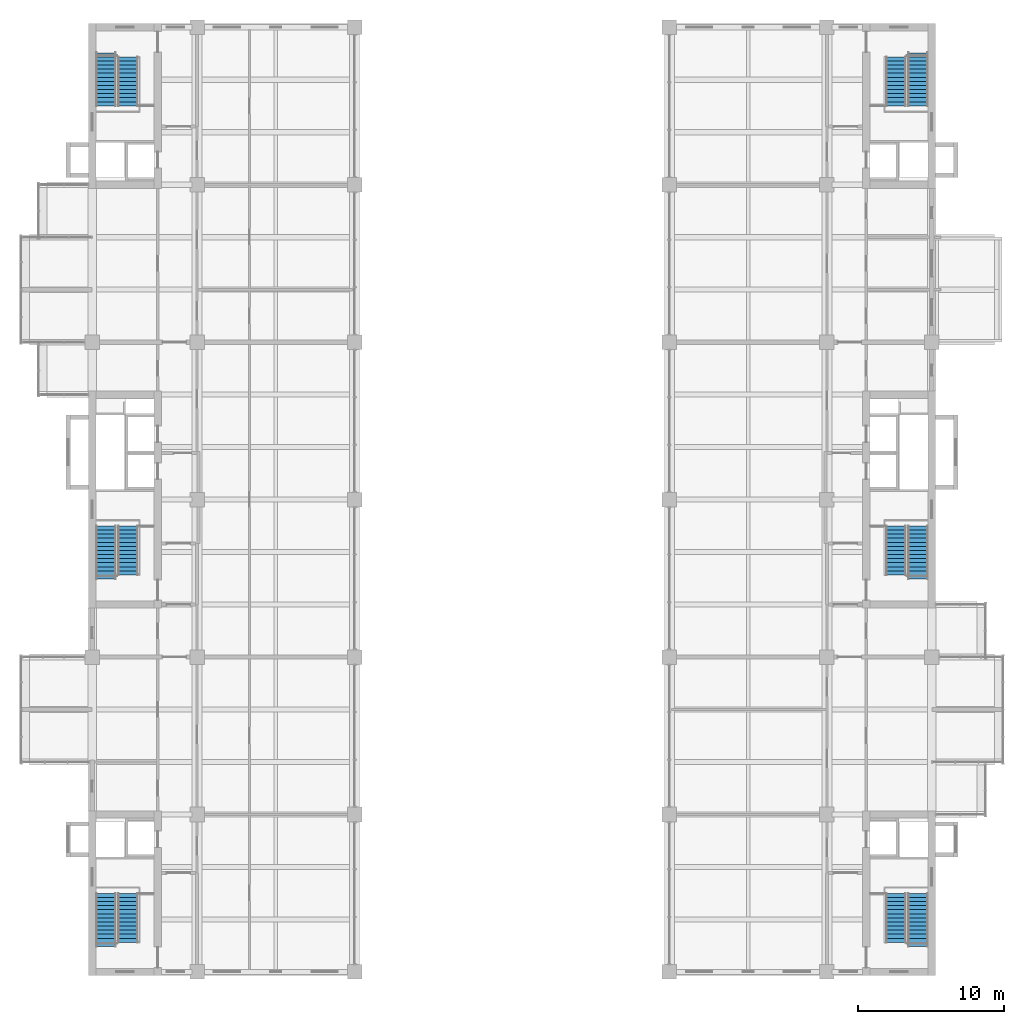
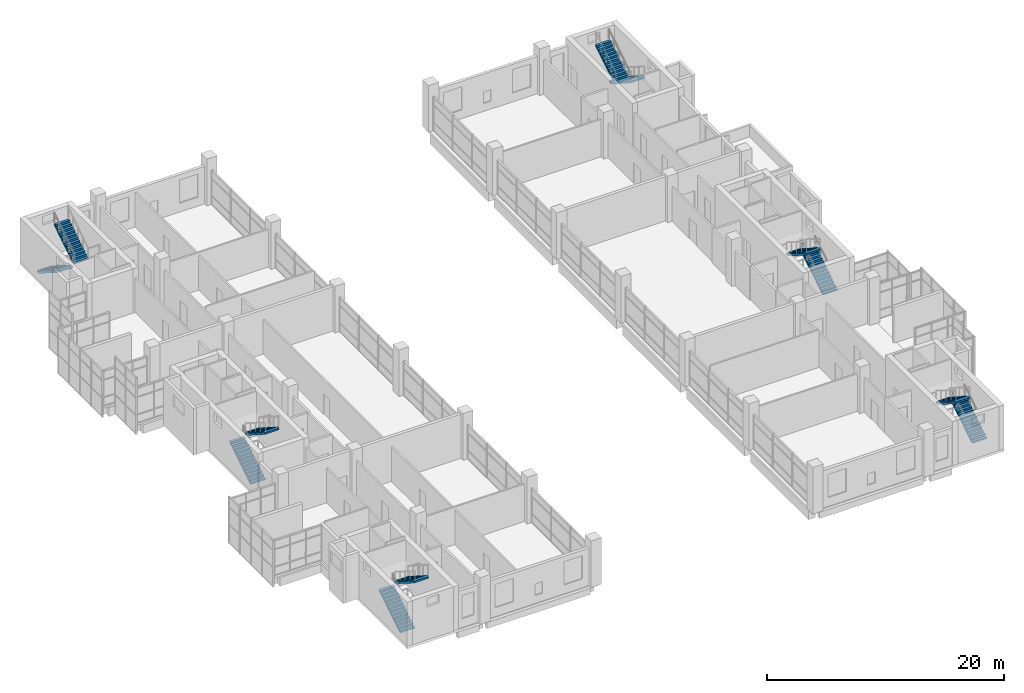
# One storey, part 28 of 30: 12 stair flights, 6 elements without a shape of their own.
"""IFC4 building model written with IfcOpenShell, lengths in metres."""

from ifc_helpers import new_model, si_unit, direction, frame, origin, place, context, subcontext, project, spatial, polyline, outline, extrude, material, type_object, element, aggregate, save


model = new_model("IFC4")

# Units and contexts
model_context = context("Model", 3, precision=1e-05, world=origin(), true_north=direction((0.0, 1.0)))
body_context = subcontext(model_context, "Body", "Model", "MODEL_VIEW")
ifc_project = project(units=[si_unit("LENGTHUNIT", "METRE"), si_unit("AREAUNIT", "SQUARE_METRE"), si_unit("VOLUMEUNIT", "CUBIC_METRE"), si_unit("PLANEANGLEUNIT", "RADIAN"), si_unit("MASSUNIT", "GRAM", prefix="KILO")], contexts=[model_context])

# Site, building, storey
site_placement = place(None, origin())
site = spatial("IfcSite", under=ifc_project, at=site_placement, CompositionType="ELEMENT")
building_placement = place(site_placement, origin())
building = spatial("IfcBuilding", under=site, at=building_placement, Name="Basin Gate Institute", CompositionType="ELEMENT")
storey_placement = place(building_placement, frame((0.0, 0.0, 36.60009765625)))
storey = spatial("IfcBuildingStorey", under=building, at=storey_placement, Name="L07", CompositionType="ELEMENT", Elevation=36.60009765625)

# Stair, stair flights
ifc_material_1 = material(Name="Concrete 40 MPa", Category="concrete")
stair_type = type_object("IfcStairType", Name="Stair ST", PredefinedType="HALF_TURN_STAIR", material=ifc_material_1)
stair_1_placement = place(storey_placement, origin())
stair_1 = element("IfcStair", 1, at=stair_1_placement, inside=storey, type_object=stair_type, material=ifc_material_1, Name="Special safe stair ST-WS L07", PredefinedType="HALF_TURN_STAIR")
ifc_material_2 = material(Name="Concrete 40 MPa", Category="concrete")
stair_flight_type = type_object("IfcStairFlightType", Name="Stair flight FL", PredefinedType="STRAIGHT", material=ifc_material_2)
stair_flight_1_placement = place(storey_placement, frame((62.14990234375, 36.85009765625, 0.0), z_axis=(0.0, 0.0, 1.0), x_axis=(0.0, 1.0, 0.0)))
stair_flight_1 = element("IfcStairFlight", 2, at=stair_flight_1_placement, type_object=stair_flight_type, material=ifc_material_2, Name="Stair flight ST-WS-F1 L07", NumberOfRisers=14, NumberOfTreads=13, PredefinedType="STRAIGHT", RiserHeight=0.177777778, TreadLength=0.28, context=body_context, shape_type="SweptSolid", body=[
    extrude(outline(polyline([(0.0, 0.0), (0.0, 0.177734375), (0.280029296875, 0.177734375), (0.280029296875, 0.35546875), (0.56005859375, 0.35546875), (0.56005859375, 0.533447265625), (0.840087890625, 0.533447265625), (0.840087890625, 0.711181640625), (1.1201171875, 0.711181640625), (1.1201171875, 0.888916015625), (1.39990234375, 0.888916015625), (1.39990234375, 1.066650390625), (1.679931640625, 1.066650390625), (1.679931640625, 1.244384765625), (1.9599609375, 1.244384765625), (1.9599609375, 1.422119140625), (2.239990234375, 1.422119140625), (2.239990234375, 1.60009765625), (2.52001953125, 1.60009765625), (2.52001953125, 1.77783203125), (2.800048828125, 1.77783203125), (2.800048828125, 1.95556640625), (3.080078125, 1.95556640625), (3.080078125, 2.13330078125), (3.360107421875, 2.13330078125), (3.360107421875, 2.31103515625), (3.639892578125, 2.31103515625), (3.639892578125, 2.48876953125), (3.639892578125, 2.133544921875), (0.27978515625, 0.0), (0.0, 0.0)])), frame((0.0, 0.699951171875, 0.0), z_axis=(0.0, -1.0, 0.0), x_axis=(1.0, 0.0, 0.0)), (0.0, 0.0, 1.0), 1.39990234375),
])
stair_flight_2_placement = place(storey_placement, frame((63.64990234375, 40.489990234375, 2.48876953125), z_axis=(0.0, 0.0, 1.0), x_axis=(0.0, -1.0, 0.0)))
stair_flight_2 = element("IfcStairFlight", 3, at=stair_flight_2_placement, type_object=stair_flight_type, material=ifc_material_2, Name="Stair flight ST-WS-F2 L07", NumberOfRisers=13, NumberOfTreads=12, PredefinedType="STRAIGHT", RiserHeight=0.177777778, TreadLength=0.28, context=body_context, shape_type="SweptSolid", body=[
    extrude(outline(polyline([(0.0, 0.0), (0.0, 0.177734375), (0.280029296875, 0.177734375), (0.280029296875, 0.35546875), (0.56005859375, 0.35546875), (0.56005859375, 0.533447265625), (0.840087890625, 0.533447265625), (0.840087890625, 0.711181640625), (1.1201171875, 0.711181640625), (1.1201171875, 0.888916015625), (1.39990234375, 0.888916015625), (1.39990234375, 1.066650390625), (1.679931640625, 1.066650390625), (1.679931640625, 1.244384765625), (1.9599609375, 1.244384765625), (1.9599609375, 1.422119140625), (2.239990234375, 1.422119140625), (2.239990234375, 1.60009765625), (2.52001953125, 1.60009765625), (2.52001953125, 1.77783203125), (2.800048828125, 1.77783203125), (2.800048828125, 1.95556640625), (3.080078125, 1.95556640625), (3.080078125, 2.13330078125), (3.360107421875, 2.13330078125), (3.360107421875, 2.31103515625), (3.360107421875, 1.955810546875), (0.27978515625, 0.0), (0.0, 0.0)])), frame((0.0, 0.699951171875, 0.0), z_axis=(0.0, -1.0, 0.0), x_axis=(1.0, 0.0, 0.0)), (0.0, 0.0, 1.0), 1.39990234375),
])
aggregate(stair_1, [stair_flight_1, stair_flight_2])

stair_2_placement = place(storey_placement, origin())
stair_2 = element("IfcStair", 4, at=stair_2_placement, inside=storey, type_object=stair_type, material=ifc_material_1, Name="Special safe stair ST-WM L07", PredefinedType="HALF_TURN_STAIR")
stair_flight_3_placement = place(storey_placement, frame((62.14990234375, 62.050048828125, 0.0), z_axis=(0.0, 0.0, 1.0), x_axis=(0.0, 1.0, 0.0)))
stair_flight_3 = element("IfcStairFlight", 5, at=stair_flight_3_placement, type_object=stair_flight_type, material=ifc_material_2, Name="Stair flight ST-WM-F1 L07", NumberOfRisers=14, NumberOfTreads=13, PredefinedType="STRAIGHT", RiserHeight=0.177777778, TreadLength=0.28, context=body_context, shape_type="SweptSolid", body=[
    extrude(outline(polyline([(0.0, 0.0), (0.0, 0.177734375), (0.280029296875, 0.177734375), (0.280029296875, 0.35546875), (0.56005859375, 0.35546875), (0.56005859375, 0.533447265625), (0.840087890625, 0.533447265625), (0.840087890625, 0.711181640625), (1.1201171875, 0.711181640625), (1.1201171875, 0.888916015625), (1.39990234375, 0.888916015625), (1.39990234375, 1.066650390625), (1.679931640625, 1.066650390625), (1.679931640625, 1.244384765625), (1.9599609375, 1.244384765625), (1.9599609375, 1.422119140625), (2.239990234375, 1.422119140625), (2.239990234375, 1.60009765625), (2.52001953125, 1.60009765625), (2.52001953125, 1.77783203125), (2.800048828125, 1.77783203125), (2.800048828125, 1.95556640625), (3.080078125, 1.95556640625), (3.080078125, 2.13330078125), (3.360107421875, 2.13330078125), (3.360107421875, 2.31103515625), (3.639892578125, 2.31103515625), (3.639892578125, 2.48876953125), (3.639892578125, 2.133544921875), (0.27978515625, 0.0), (0.0, 0.0)])), frame((0.0, 0.699951171875, 0.0), z_axis=(0.0, -1.0, 0.0), x_axis=(1.0, 0.0, 0.0)), (0.0, 0.0, 1.0), 1.39990234375),
])
stair_flight_4_placement = place(storey_placement, frame((63.64990234375, 65.68994140625, 2.48876953125), z_axis=(0.0, 0.0, 1.0), x_axis=(0.0, -1.0, 0.0)))
stair_flight_4 = element("IfcStairFlight", 6, at=stair_flight_4_placement, type_object=stair_flight_type, material=ifc_material_2, Name="Stair flight ST-WM-F2 L07", NumberOfRisers=13, NumberOfTreads=12, PredefinedType="STRAIGHT", RiserHeight=0.177777778, TreadLength=0.28, context=body_context, shape_type="SweptSolid", body=[
    extrude(outline(polyline([(0.0, 0.0), (0.0, 0.177734375), (0.280029296875, 0.177734375), (0.280029296875, 0.35546875), (0.56005859375, 0.35546875), (0.56005859375, 0.533447265625), (0.840087890625, 0.533447265625), (0.840087890625, 0.711181640625), (1.1201171875, 0.711181640625), (1.1201171875, 0.888916015625), (1.39990234375, 0.888916015625), (1.39990234375, 1.066650390625), (1.679931640625, 1.066650390625), (1.679931640625, 1.244384765625), (1.9599609375, 1.244384765625), (1.9599609375, 1.422119140625), (2.239990234375, 1.422119140625), (2.239990234375, 1.60009765625), (2.52001953125, 1.60009765625), (2.52001953125, 1.77783203125), (2.800048828125, 1.77783203125), (2.800048828125, 1.95556640625), (3.080078125, 1.95556640625), (3.080078125, 2.13330078125), (3.360107421875, 2.13330078125), (3.360107421875, 2.31103515625), (3.360107421875, 1.955810546875), (0.27978515625, 0.0), (0.0, 0.0)])), frame((0.0, 0.699951171875, 0.0), z_axis=(0.0, -1.0, 0.0), x_axis=(1.0, 0.0, 0.0)), (0.0, 0.0, 1.0), 1.39990234375),
])
aggregate(stair_2, [stair_flight_3, stair_flight_4])

stair_3_placement = place(storey_placement, origin())
stair_3 = element("IfcStair", 7, at=stair_3_placement, inside=storey, type_object=stair_type, material=ifc_material_1, Name="Special safe stair ST-WN L07", PredefinedType="HALF_TURN_STAIR")
stair_flight_5_placement = place(storey_placement, frame((62.14990234375, 98.14990234375, 0.0), z_axis=(0.0, 0.0, 1.0), x_axis=(0.0, -1.0, 0.0)))
stair_flight_5 = element("IfcStairFlight", 8, at=stair_flight_5_placement, type_object=stair_flight_type, material=ifc_material_2, Name="Stair flight ST-WN-F1 L07", NumberOfRisers=14, NumberOfTreads=13, PredefinedType="STRAIGHT", RiserHeight=0.177777778, TreadLength=0.28, context=body_context, shape_type="SweptSolid", body=[
    extrude(outline(polyline([(0.0, 0.0), (0.0, 0.177734375), (0.280029296875, 0.177734375), (0.280029296875, 0.35546875), (0.56005859375, 0.35546875), (0.56005859375, 0.533447265625), (0.840087890625, 0.533447265625), (0.840087890625, 0.711181640625), (1.1201171875, 0.711181640625), (1.1201171875, 0.888916015625), (1.39990234375, 0.888916015625), (1.39990234375, 1.066650390625), (1.679931640625, 1.066650390625), (1.679931640625, 1.244384765625), (1.9599609375, 1.244384765625), (1.9599609375, 1.422119140625), (2.239990234375, 1.422119140625), (2.239990234375, 1.60009765625), (2.52001953125, 1.60009765625), (2.52001953125, 1.77783203125), (2.800048828125, 1.77783203125), (2.800048828125, 1.95556640625), (3.080078125, 1.95556640625), (3.080078125, 2.13330078125), (3.360107421875, 2.13330078125), (3.360107421875, 2.31103515625), (3.639892578125, 2.31103515625), (3.639892578125, 2.48876953125), (3.639892578125, 2.133544921875), (0.27978515625, 0.0), (0.0, 0.0)])), frame((0.0, 0.699951171875, 0.0), z_axis=(0.0, -1.0, 0.0), x_axis=(1.0, 0.0, 0.0)), (0.0, 0.0, 1.0), 1.39990234375),
])
stair_flight_6_placement = place(storey_placement, frame((63.64990234375, 94.510009765625, 2.48876953125), z_axis=(0.0, 0.0, 1.0), x_axis=(0.0, 1.0, 0.0)))
stair_flight_6 = element("IfcStairFlight", 9, at=stair_flight_6_placement, type_object=stair_flight_type, material=ifc_material_2, Name="Stair flight ST-WN-F2 L07", NumberOfRisers=13, NumberOfTreads=12, PredefinedType="STRAIGHT", RiserHeight=0.177777778, TreadLength=0.28, context=body_context, shape_type="SweptSolid", body=[
    extrude(outline(polyline([(0.0, 0.0), (0.0, 0.177734375), (0.280029296875, 0.177734375), (0.280029296875, 0.35546875), (0.56005859375, 0.35546875), (0.56005859375, 0.533447265625), (0.840087890625, 0.533447265625), (0.840087890625, 0.711181640625), (1.1201171875, 0.711181640625), (1.1201171875, 0.888916015625), (1.39990234375, 0.888916015625), (1.39990234375, 1.066650390625), (1.679931640625, 1.066650390625), (1.679931640625, 1.244384765625), (1.9599609375, 1.244384765625), (1.9599609375, 1.422119140625), (2.239990234375, 1.422119140625), (2.239990234375, 1.60009765625), (2.52001953125, 1.60009765625), (2.52001953125, 1.77783203125), (2.800048828125, 1.77783203125), (2.800048828125, 1.95556640625), (3.080078125, 1.95556640625), (3.080078125, 2.13330078125), (3.360107421875, 2.13330078125), (3.360107421875, 2.31103515625), (3.360107421875, 1.955810546875), (0.27978515625, 0.0), (0.0, 0.0)])), frame((0.0, 0.699951171875, 0.0), z_axis=(0.0, -1.0, 0.0), x_axis=(1.0, 0.0, 0.0)), (0.0, 0.0, 1.0), 1.39990234375),
])
aggregate(stair_3, [stair_flight_5, stair_flight_6])

stair_4_placement = place(storey_placement, origin())
stair_4 = element("IfcStair", 10, at=stair_4_placement, inside=storey, type_object=stair_type, material=ifc_material_1, Name="Special safe stair ST-ES L07", PredefinedType="HALF_TURN_STAIR")
stair_flight_7_placement = place(storey_placement, frame((117.85009765625, 36.85009765625, 0.0), z_axis=(0.0, 0.0, 1.0), x_axis=(0.0, 1.0, 0.0)))
stair_flight_7 = element("IfcStairFlight", 11, at=stair_flight_7_placement, type_object=stair_flight_type, material=ifc_material_2, Name="Stair flight ST-ES-F1 L07", NumberOfRisers=14, NumberOfTreads=13, PredefinedType="STRAIGHT", RiserHeight=0.177777778, TreadLength=0.28, context=body_context, shape_type="SweptSolid", body=[
    extrude(outline(polyline([(0.0, 0.0), (0.0, 0.177734375), (0.280029296875, 0.177734375), (0.280029296875, 0.35546875), (0.56005859375, 0.35546875), (0.56005859375, 0.533447265625), (0.840087890625, 0.533447265625), (0.840087890625, 0.711181640625), (1.1201171875, 0.711181640625), (1.1201171875, 0.888916015625), (1.39990234375, 0.888916015625), (1.39990234375, 1.066650390625), (1.679931640625, 1.066650390625), (1.679931640625, 1.244384765625), (1.9599609375, 1.244384765625), (1.9599609375, 1.422119140625), (2.239990234375, 1.422119140625), (2.239990234375, 1.60009765625), (2.52001953125, 1.60009765625), (2.52001953125, 1.77783203125), (2.800048828125, 1.77783203125), (2.800048828125, 1.95556640625), (3.080078125, 1.95556640625), (3.080078125, 2.13330078125), (3.360107421875, 2.13330078125), (3.360107421875, 2.31103515625), (3.639892578125, 2.31103515625), (3.639892578125, 2.48876953125), (3.639892578125, 2.133544921875), (0.27978515625, 0.0), (0.0, 0.0)])), frame((0.0, 0.699951171875, 0.0), z_axis=(0.0, -1.0, 0.0), x_axis=(1.0, 0.0, 0.0)), (0.0, 0.0, 1.0), 1.39990234375),
])
stair_flight_8_placement = place(storey_placement, frame((116.35009765625, 40.489990234375, 2.48876953125), z_axis=(0.0, 0.0, 1.0), x_axis=(0.0, -1.0, 0.0)))
stair_flight_8 = element("IfcStairFlight", 12, at=stair_flight_8_placement, type_object=stair_flight_type, material=ifc_material_2, Name="Stair flight ST-ES-F2 L07", NumberOfRisers=13, NumberOfTreads=12, PredefinedType="STRAIGHT", RiserHeight=0.177777778, TreadLength=0.28, context=body_context, shape_type="SweptSolid", body=[
    extrude(outline(polyline([(0.0, 0.0), (0.0, 0.177734375), (0.280029296875, 0.177734375), (0.280029296875, 0.35546875), (0.56005859375, 0.35546875), (0.56005859375, 0.533447265625), (0.840087890625, 0.533447265625), (0.840087890625, 0.711181640625), (1.1201171875, 0.711181640625), (1.1201171875, 0.888916015625), (1.39990234375, 0.888916015625), (1.39990234375, 1.066650390625), (1.679931640625, 1.066650390625), (1.679931640625, 1.244384765625), (1.9599609375, 1.244384765625), (1.9599609375, 1.422119140625), (2.239990234375, 1.422119140625), (2.239990234375, 1.60009765625), (2.52001953125, 1.60009765625), (2.52001953125, 1.77783203125), (2.800048828125, 1.77783203125), (2.800048828125, 1.95556640625), (3.080078125, 1.95556640625), (3.080078125, 2.13330078125), (3.360107421875, 2.13330078125), (3.360107421875, 2.31103515625), (3.360107421875, 1.955810546875), (0.27978515625, 0.0), (0.0, 0.0)])), frame((0.0, 0.699951171875, 0.0), z_axis=(0.0, -1.0, 0.0), x_axis=(1.0, 0.0, 0.0)), (0.0, 0.0, 1.0), 1.39990234375),
])
aggregate(stair_4, [stair_flight_7, stair_flight_8])

stair_5_placement = place(storey_placement, origin())
stair_5 = element("IfcStair", 13, at=stair_5_placement, inside=storey, type_object=stair_type, material=ifc_material_1, Name="Special safe stair ST-EM L07", PredefinedType="HALF_TURN_STAIR")
stair_flight_9_placement = place(storey_placement, frame((117.85009765625, 62.050048828125, 0.0), z_axis=(0.0, 0.0, 1.0), x_axis=(0.0, 1.0, 0.0)))
stair_flight_9 = element("IfcStairFlight", 14, at=stair_flight_9_placement, type_object=stair_flight_type, material=ifc_material_2, Name="Stair flight ST-EM-F1 L07", NumberOfRisers=14, NumberOfTreads=13, PredefinedType="STRAIGHT", RiserHeight=0.177777778, TreadLength=0.28, context=body_context, shape_type="SweptSolid", body=[
    extrude(outline(polyline([(0.0, 0.0), (0.0, 0.177734375), (0.280029296875, 0.177734375), (0.280029296875, 0.35546875), (0.56005859375, 0.35546875), (0.56005859375, 0.533447265625), (0.840087890625, 0.533447265625), (0.840087890625, 0.711181640625), (1.1201171875, 0.711181640625), (1.1201171875, 0.888916015625), (1.39990234375, 0.888916015625), (1.39990234375, 1.066650390625), (1.679931640625, 1.066650390625), (1.679931640625, 1.244384765625), (1.9599609375, 1.244384765625), (1.9599609375, 1.422119140625), (2.239990234375, 1.422119140625), (2.239990234375, 1.60009765625), (2.52001953125, 1.60009765625), (2.52001953125, 1.77783203125), (2.800048828125, 1.77783203125), (2.800048828125, 1.95556640625), (3.080078125, 1.95556640625), (3.080078125, 2.13330078125), (3.360107421875, 2.13330078125), (3.360107421875, 2.31103515625), (3.639892578125, 2.31103515625), (3.639892578125, 2.48876953125), (3.639892578125, 2.133544921875), (0.27978515625, 0.0), (0.0, 0.0)])), frame((0.0, 0.699951171875, 0.0), z_axis=(0.0, -1.0, 0.0), x_axis=(1.0, 0.0, 0.0)), (0.0, 0.0, 1.0), 1.39990234375),
])
stair_flight_10_placement = place(storey_placement, frame((116.35009765625, 65.68994140625, 2.48876953125), z_axis=(0.0, 0.0, 1.0), x_axis=(0.0, -1.0, 0.0)))
stair_flight_10 = element("IfcStairFlight", 15, at=stair_flight_10_placement, type_object=stair_flight_type, material=ifc_material_2, Name="Stair flight ST-EM-F2 L07", NumberOfRisers=13, NumberOfTreads=12, PredefinedType="STRAIGHT", RiserHeight=0.177777778, TreadLength=0.28, context=body_context, shape_type="SweptSolid", body=[
    extrude(outline(polyline([(0.0, 0.0), (0.0, 0.177734375), (0.280029296875, 0.177734375), (0.280029296875, 0.35546875), (0.56005859375, 0.35546875), (0.56005859375, 0.533447265625), (0.840087890625, 0.533447265625), (0.840087890625, 0.711181640625), (1.1201171875, 0.711181640625), (1.1201171875, 0.888916015625), (1.39990234375, 0.888916015625), (1.39990234375, 1.066650390625), (1.679931640625, 1.066650390625), (1.679931640625, 1.244384765625), (1.9599609375, 1.244384765625), (1.9599609375, 1.422119140625), (2.239990234375, 1.422119140625), (2.239990234375, 1.60009765625), (2.52001953125, 1.60009765625), (2.52001953125, 1.77783203125), (2.800048828125, 1.77783203125), (2.800048828125, 1.95556640625), (3.080078125, 1.95556640625), (3.080078125, 2.13330078125), (3.360107421875, 2.13330078125), (3.360107421875, 2.31103515625), (3.360107421875, 1.955810546875), (0.27978515625, 0.0), (0.0, 0.0)])), frame((0.0, 0.699951171875, 0.0), z_axis=(0.0, -1.0, 0.0), x_axis=(1.0, 0.0, 0.0)), (0.0, 0.0, 1.0), 1.39990234375),
])
aggregate(stair_5, [stair_flight_9, stair_flight_10])

stair_6_placement = place(storey_placement, origin())
stair_6 = element("IfcStair", 16, at=stair_6_placement, inside=storey, type_object=stair_type, material=ifc_material_1, Name="Special safe stair ST-EN L07", PredefinedType="HALF_TURN_STAIR")
stair_flight_11_placement = place(storey_placement, frame((117.85009765625, 98.14990234375, 0.0), z_axis=(0.0, 0.0, 1.0), x_axis=(0.0, -1.0, 0.0)))
stair_flight_11 = element("IfcStairFlight", 17, at=stair_flight_11_placement, type_object=stair_flight_type, material=ifc_material_2, Name="Stair flight ST-EN-F1 L07", NumberOfRisers=14, NumberOfTreads=13, PredefinedType="STRAIGHT", RiserHeight=0.177777778, TreadLength=0.28, context=body_context, shape_type="SweptSolid", body=[
    extrude(outline(polyline([(0.0, 0.0), (0.0, 0.177734375), (0.280029296875, 0.177734375), (0.280029296875, 0.35546875), (0.56005859375, 0.35546875), (0.56005859375, 0.533447265625), (0.840087890625, 0.533447265625), (0.840087890625, 0.711181640625), (1.1201171875, 0.711181640625), (1.1201171875, 0.888916015625), (1.39990234375, 0.888916015625), (1.39990234375, 1.066650390625), (1.679931640625, 1.066650390625), (1.679931640625, 1.244384765625), (1.9599609375, 1.244384765625), (1.9599609375, 1.422119140625), (2.239990234375, 1.422119140625), (2.239990234375, 1.60009765625), (2.52001953125, 1.60009765625), (2.52001953125, 1.77783203125), (2.800048828125, 1.77783203125), (2.800048828125, 1.95556640625), (3.080078125, 1.95556640625), (3.080078125, 2.13330078125), (3.360107421875, 2.13330078125), (3.360107421875, 2.31103515625), (3.639892578125, 2.31103515625), (3.639892578125, 2.48876953125), (3.639892578125, 2.133544921875), (0.27978515625, 0.0), (0.0, 0.0)])), frame((0.0, 0.699951171875, 0.0), z_axis=(0.0, -1.0, 0.0), x_axis=(1.0, 0.0, 0.0)), (0.0, 0.0, 1.0), 1.39990234375),
])
stair_flight_12_placement = place(storey_placement, frame((116.35009765625, 94.510009765625, 2.48876953125), z_axis=(0.0, 0.0, 1.0), x_axis=(0.0, 1.0, 0.0)))
stair_flight_12 = element("IfcStairFlight", 18, at=stair_flight_12_placement, type_object=stair_flight_type, material=ifc_material_2, Name="Stair flight ST-EN-F2 L07", NumberOfRisers=13, NumberOfTreads=12, PredefinedType="STRAIGHT", RiserHeight=0.177777778, TreadLength=0.28, context=body_context, shape_type="SweptSolid", body=[
    extrude(outline(polyline([(0.0, 0.0), (0.0, 0.177734375), (0.280029296875, 0.177734375), (0.280029296875, 0.35546875), (0.56005859375, 0.35546875), (0.56005859375, 0.533447265625), (0.840087890625, 0.533447265625), (0.840087890625, 0.711181640625), (1.1201171875, 0.711181640625), (1.1201171875, 0.888916015625), (1.39990234375, 0.888916015625), (1.39990234375, 1.066650390625), (1.679931640625, 1.066650390625), (1.679931640625, 1.244384765625), (1.9599609375, 1.244384765625), (1.9599609375, 1.422119140625), (2.239990234375, 1.422119140625), (2.239990234375, 1.60009765625), (2.52001953125, 1.60009765625), (2.52001953125, 1.77783203125), (2.800048828125, 1.77783203125), (2.800048828125, 1.95556640625), (3.080078125, 1.95556640625), (3.080078125, 2.13330078125), (3.360107421875, 2.13330078125), (3.360107421875, 2.31103515625), (3.360107421875, 1.955810546875), (0.27978515625, 0.0), (0.0, 0.0)])), frame((0.0, 0.699951171875, 0.0), z_axis=(0.0, -1.0, 0.0), x_axis=(1.0, 0.0, 0.0)), (0.0, 0.0, 1.0), 1.39990234375),
])
aggregate(stair_6, [stair_flight_11, stair_flight_12])

save(model, "model.ifc")
